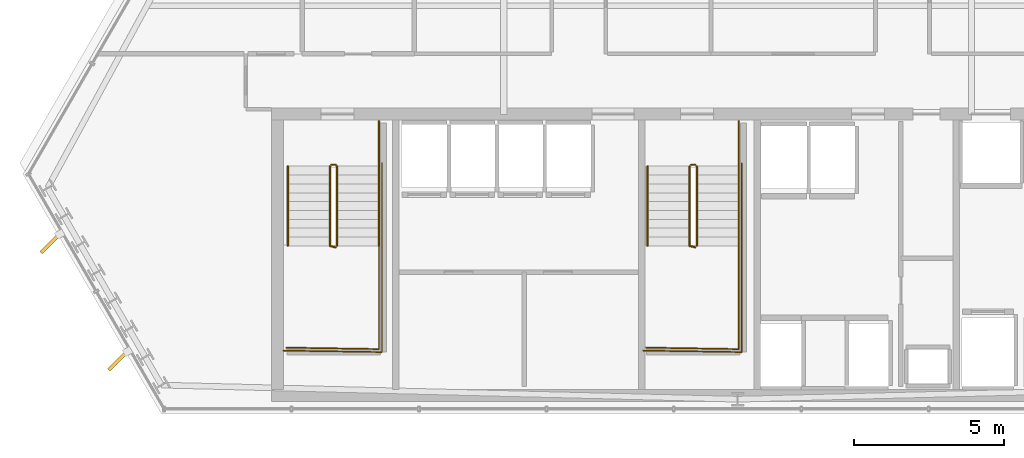
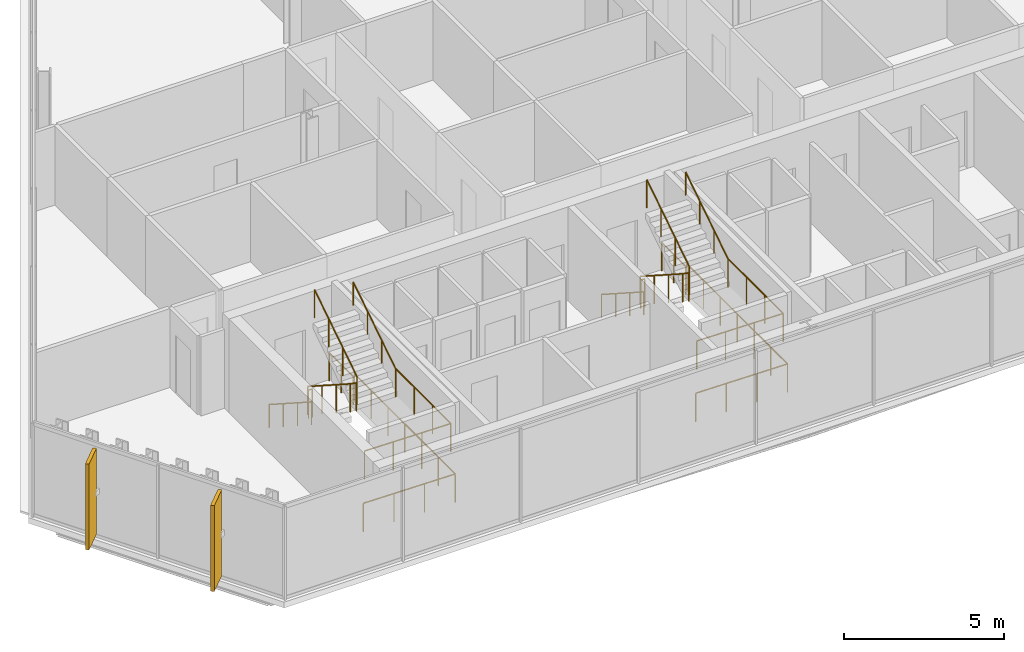
# One storey, part 31 of 34: 16 railings, 2 shading devices.
"""IFC4 building model written with IfcOpenShell, lengths in metres."""

from ifc_helpers import new_model, si_unit, direction, frame, origin, origin_2d, place, context, subcontext, project, spatial, rectangle, circle, extrude, material, layer, layer_set, type_object, element, save


model = new_model("IFC4")

# Units and contexts
model_context = context("Model", 3, precision=1e-05, world=origin(), true_north=direction((0.0, 1.0)))
body_context = subcontext(model_context, "Body", "Model", "MODEL_VIEW")
ifc_project = project(units=[si_unit("LENGTHUNIT", "METRE"), si_unit("AREAUNIT", "SQUARE_METRE"), si_unit("VOLUMEUNIT", "CUBIC_METRE"), si_unit("PLANEANGLEUNIT", "RADIAN"), si_unit("MASSUNIT", "GRAM", prefix="KILO")], contexts=[model_context])

# Site, building, storey
site_placement = place(None, origin())
site = spatial("IfcSite", under=ifc_project, at=site_placement, CompositionType="ELEMENT")
building_placement = place(site_placement, origin())
building = spatial("IfcBuilding", under=site, at=building_placement, Name="Ndaravel Arena Tower", CompositionType="ELEMENT")
storey_placement = place(building_placement, frame((0.0, 0.0, 191.60009765625)))
storey = spatial("IfcBuildingStorey", under=building, at=storey_placement, Name="L46", CompositionType="ELEMENT", Elevation=191.60009765625)

# Railings
ifc_material_1 = material(Name="Steel S355", Category="steel")
ifc_layer_1 = layer(ifc_material_1, 0.06005859375)
ifc_layer_set_1 = layer_set([ifc_layer_1], Name="Steel S355")
railing_type_1 = type_object("IfcRailingType", Name="RAIL-STAIR-GD1100", PredefinedType="GUARDRAIL", material=ifc_layer_set_1)
railing_1_placement = place(storey_placement, frame((28.39990234375, 13.25, 0.18994140625)))
element("IfcRailing", 1, at=railing_1_placement, inside=storey, type_object=railing_type_1, Name="L46 ST-1 stair guard 1", PredefinedType="GUARDRAIL", context=body_context, shape_type="SweptSolid", body=[
    extrude(circle(Radius=0.02392578125, at=origin_2d()), frame((0.0, 0.0, 1.076171875), z_axis=(0.0, -0.840723540582, 0.54146461409), x_axis=(1.0, 0.0, 0.0)), (0.0, 0.0, 1.0), 3.157958984375),
    extrude(circle(Radius=0.02392578125, at=origin_2d()), frame((0.0, -2.655029296875, 2.7861328125), z_axis=(0.967074537263, -0.25449329928, 0.0), x_axis=(0.25449329928, 0.967074537263, 0.0)), (0.0, 0.0, 1.0), 0.19677734375),
    extrude(circle(Radius=0.02099609375, at=origin_2d()), origin(), (0.0, 0.0, 1.0), 1.052001953125),
    extrude(circle(Radius=0.02099609375, at=origin_2d()), frame((0.0, -0.885009765625, 0.570068359375)), (0.0, 0.0, 1.0), 1.052001953125),
    extrude(circle(Radius=0.02099609375, at=origin_2d()), frame((0.0, -1.77001953125, 1.139892578125)), (0.0, 0.0, 1.0), 1.052001953125),
    extrude(circle(Radius=0.02099609375, at=origin_2d()), frame((0.0, -2.655029296875, 1.7099609375)), (0.0, 0.0, 1.0), 1.052001953125),
    extrude(circle(Radius=0.02099609375, at=origin_2d()), frame((0.190185546875, -2.705078125, 1.7099609375)), (0.0, 0.0, 1.0), 1.052001953125),
])
railing_2_placement = place(storey_placement, frame((30.0400390625, 10.594970703125, 1.89990234375)))
element("IfcRailing", 2, at=railing_2_placement, inside=storey, type_object=railing_type_1, Name="L46 ST-1 stair guard 2", PredefinedType="GUARDRAIL", context=body_context, shape_type="SweptSolid", body=[
    extrude(circle(Radius=0.02392578125, at=origin_2d()), frame((0.0, 0.0, 1.076171875), z_axis=(0.0, -1.0, 0.0), x_axis=(1.0, 0.0, 0.0)), (0.0, 0.0, 1.0), 3.445068359375),
    extrude(circle(Radius=0.02392578125, at=origin_2d()), frame((0.0, -3.445068359375, 1.076171875), z_axis=(-0.999868861343, 0.016194447071, 0.0), x_axis=(-0.016194447071, -0.999868861343, 0.0)), (0.0, 0.0, 1.0), 3.090576171875),
    extrude(circle(Radius=0.02099609375, at=origin_2d()), origin(), (0.0, 0.0, 1.0), 1.052001953125),
    extrude(circle(Radius=0.02099609375, at=origin_2d()), frame((0.0, -1.1484375, 0.0)), (0.0, 0.0, 1.0), 1.052001953125),
    extrude(circle(Radius=0.02099609375, at=origin_2d()), frame((0.0, -2.296630859375, 0.0)), (0.0, 0.0, 1.0), 1.052001953125),
    extrude(circle(Radius=0.02099609375, at=origin_2d()), frame((0.0, -3.445068359375, 0.0)), (0.0, 0.0, 1.0), 1.052001953125),
    extrude(circle(Radius=0.02099609375, at=origin_2d()), frame((-1.030029296875, -3.428466796875, 0.0)), (0.0, 0.0, 1.0), 1.052001953125),
    extrude(circle(Radius=0.02099609375, at=origin_2d()), frame((-2.06005859375, -3.41162109375, 0.0)), (0.0, 0.0, 1.0), 1.052001953125),
    extrude(circle(Radius=0.02099609375, at=origin_2d()), frame((-3.090087890625, -3.39501953125, 0.0)), (0.0, 0.0, 1.0), 1.052001953125),
])
railing_3_placement = place(storey_placement, frame((28.639892578125, 10.594970703125, 2.08984375)))
element("IfcRailing", 3, at=railing_3_placement, inside=storey, type_object=railing_type_1, Name="L46 ST-1 stair guard 3", PredefinedType="GUARDRAIL", context=body_context, shape_type="SweptSolid", body=[
    extrude(circle(Radius=0.02392578125, at=origin_2d()), frame((0.0, 0.0, 1.076171875), z_axis=(0.0, 0.840723540582, 0.54146461409), x_axis=(-1.0, 0.0, 0.0)), (0.0, 0.0, 1.0), 3.157958984375),
    extrude(circle(Radius=0.02099609375, at=origin_2d()), origin(), (0.0, 0.0, 1.0), 1.052001953125),
    extrude(circle(Radius=0.02099609375, at=origin_2d()), frame((0.0, 0.885009765625, 0.570068359375)), (0.0, 0.0, 1.0), 1.052001953125),
    extrude(circle(Radius=0.02099609375, at=origin_2d()), frame((0.0, 1.77001953125, 1.139892578125)), (0.0, 0.0, 1.0), 1.052001953125),
    extrude(circle(Radius=0.02099609375, at=origin_2d()), frame((0.0, 2.655029296875, 1.7099609375)), (0.0, 0.0, 1.0), 1.052001953125),
])
railing_4_placement = place(storey_placement, frame((28.449951171875, 13.300048828125, 0.0)))
element("IfcRailing", 4, at=railing_4_placement, inside=storey, type_object=railing_type_1, Name="L46 ST-1 stair guard 4", PredefinedType="GUARDRAIL", context=body_context, shape_type="SweptSolid", body=[
    extrude(circle(Radius=0.02392578125, at=origin_2d()), frame((0.0, 0.0, 1.076171875), z_axis=(1.0, 0.0, 0.0), x_axis=(0.0, 1.0, 0.0)), (0.0, 0.0, 1.0), 0.14013671875),
    extrude(circle(Radius=0.02099609375, at=origin_2d()), origin(), (0.0, 0.0, 1.0), 1.052001953125),
    extrude(circle(Radius=0.02099609375, at=origin_2d()), frame((0.14013671875, 0.0, 0.0)), (0.0, 0.0, 1.0), 1.052001953125),
])
railing_5_placement = place(storey_placement, frame((30.0400390625, 14.75, 0.0)))
element("IfcRailing", 5, at=railing_5_placement, inside=storey, type_object=railing_type_1, Name="L46 ST-1 stair guard 5", PredefinedType="GUARDRAIL", context=body_context, shape_type="SweptSolid", body=[
    extrude(circle(Radius=0.02392578125, at=origin_2d()), frame((0.0, 0.0, 1.076171875), z_axis=(0.0, -1.0, 0.0), x_axis=(1.0, 0.0, 0.0)), (0.0, 0.0, 1.0), 1.5),
    extrude(circle(Radius=0.02099609375, at=origin_2d()), origin(), (0.0, 0.0, 1.0), 1.052001953125),
    extrude(circle(Radius=0.02099609375, at=origin_2d()), frame((0.0, -0.75, 0.0)), (0.0, 0.0, 1.0), 1.052001953125),
    extrude(circle(Radius=0.02099609375, at=origin_2d()), frame((0.0, -1.5, 0.0)), (0.0, 0.0, 1.0), 1.052001953125),
])
railing_6_placement = place(storey_placement, frame((30.139892578125, 13.35009765625, 0.0)))
element("IfcRailing", 6, at=railing_6_placement, inside=storey, type_object=railing_type_1, Name="L46 ST-1 stair guard 6", PredefinedType="GUARDRAIL", context=body_context, shape_type="SweptSolid", body=[
    extrude(circle(Radius=0.02392578125, at=origin_2d()), frame((0.0, 0.0, 1.076171875), z_axis=(0.0, -1.0, 0.0), x_axis=(1.0, 0.0, 0.0)), (0.0, 0.0, 1.0), 6.300048828125),
    extrude(circle(Radius=0.02392578125, at=origin_2d()), frame((0.0, -6.300048828125, 1.076171875), z_axis=(-0.999884296952, 0.015211597839, 0.0), x_axis=(-0.015211597839, -0.999884296952, 0.0)), (0.0, 0.0, 1.0), 3.290283203125),
    extrude(circle(Radius=0.02099609375, at=origin_2d()), origin(), (0.0, 0.0, 1.0), 1.052001953125),
    extrude(circle(Radius=0.02099609375, at=origin_2d()), frame((0.0, -1.050048828125, 0.0)), (0.0, 0.0, 1.0), 1.052001953125),
    extrude(circle(Radius=0.02099609375, at=origin_2d()), frame((0.0, -2.10009765625, 0.0)), (0.0, 0.0, 1.0), 1.052001953125),
    extrude(circle(Radius=0.02099609375, at=origin_2d()), frame((0.0, -3.14990234375, 0.0)), (0.0, 0.0, 1.0), 1.052001953125),
    extrude(circle(Radius=0.02099609375, at=origin_2d()), frame((0.0, -4.199951171875, 0.0)), (0.0, 0.0, 1.0), 1.052001953125),
    extrude(circle(Radius=0.02099609375, at=origin_2d()), frame((0.0, -5.25, 0.0)), (0.0, 0.0, 1.0), 1.052001953125),
    extrude(circle(Radius=0.02099609375, at=origin_2d()), frame((0.0, -6.300048828125, 0.0)), (0.0, 0.0, 1.0), 1.052001953125),
    extrude(circle(Radius=0.02099609375, at=origin_2d()), frame((-1.0966796875, -6.283447265625, 0.0)), (0.0, 0.0, 1.0), 1.052001953125),
    extrude(circle(Radius=0.02099609375, at=origin_2d()), frame((-2.193115234375, -6.2666015625, 0.0)), (0.0, 0.0, 1.0), 1.052001953125),
    extrude(circle(Radius=0.02099609375, at=origin_2d()), frame((-3.289794921875, -6.25, 0.0)), (0.0, 0.0, 1.0), 1.052001953125),
])
railing_7_placement = place(storey_placement, frame((40.39990234375, 13.25, 0.18994140625)))
element("IfcRailing", 7, at=railing_7_placement, inside=storey, type_object=railing_type_1, Name="L46 ST-2 stair guard 1", PredefinedType="GUARDRAIL", context=body_context, shape_type="SweptSolid", body=[
    extrude(circle(Radius=0.02392578125, at=origin_2d()), frame((0.0, 0.0, 1.076171875), z_axis=(0.0, -0.840723540582, 0.54146461409), x_axis=(1.0, 0.0, 0.0)), (0.0, 0.0, 1.0), 3.157958984375),
    extrude(circle(Radius=0.02392578125, at=origin_2d()), frame((0.0, -2.655029296875, 2.7861328125), z_axis=(0.967074537263, -0.25449329928, 0.0), x_axis=(0.25449329928, 0.967074537263, 0.0)), (0.0, 0.0, 1.0), 0.19677734375),
    extrude(circle(Radius=0.02099609375, at=origin_2d()), origin(), (0.0, 0.0, 1.0), 1.052001953125),
    extrude(circle(Radius=0.02099609375, at=origin_2d()), frame((0.0, -0.885009765625, 0.570068359375)), (0.0, 0.0, 1.0), 1.052001953125),
    extrude(circle(Radius=0.02099609375, at=origin_2d()), frame((0.0, -1.77001953125, 1.139892578125)), (0.0, 0.0, 1.0), 1.052001953125),
    extrude(circle(Radius=0.02099609375, at=origin_2d()), frame((0.0, -2.655029296875, 1.7099609375)), (0.0, 0.0, 1.0), 1.052001953125),
    extrude(circle(Radius=0.02099609375, at=origin_2d()), frame((0.190185546875, -2.705078125, 1.7099609375)), (0.0, 0.0, 1.0), 1.052001953125),
])
railing_8_placement = place(storey_placement, frame((42.0400390625, 10.594970703125, 1.89990234375)))
element("IfcRailing", 8, at=railing_8_placement, inside=storey, type_object=railing_type_1, Name="L46 ST-2 stair guard 2", PredefinedType="GUARDRAIL", context=body_context, shape_type="SweptSolid", body=[
    extrude(circle(Radius=0.02392578125, at=origin_2d()), frame((0.0, 0.0, 1.076171875), z_axis=(0.0, -1.0, 0.0), x_axis=(1.0, 0.0, 0.0)), (0.0, 0.0, 1.0), 3.445068359375),
    extrude(circle(Radius=0.02392578125, at=origin_2d()), frame((0.0, -3.445068359375, 1.076171875), z_axis=(-0.999868861343, 0.016194447071, 0.0), x_axis=(-0.016194447071, -0.999868861343, 0.0)), (0.0, 0.0, 1.0), 3.090576171875),
    extrude(circle(Radius=0.02099609375, at=origin_2d()), origin(), (0.0, 0.0, 1.0), 1.052001953125),
    extrude(circle(Radius=0.02099609375, at=origin_2d()), frame((0.0, -1.1484375, 0.0)), (0.0, 0.0, 1.0), 1.052001953125),
    extrude(circle(Radius=0.02099609375, at=origin_2d()), frame((0.0, -2.296630859375, 0.0)), (0.0, 0.0, 1.0), 1.052001953125),
    extrude(circle(Radius=0.02099609375, at=origin_2d()), frame((0.0, -3.445068359375, 0.0)), (0.0, 0.0, 1.0), 1.052001953125),
    extrude(circle(Radius=0.02099609375, at=origin_2d()), frame((-1.030029296875, -3.428466796875, 0.0)), (0.0, 0.0, 1.0), 1.052001953125),
    extrude(circle(Radius=0.02099609375, at=origin_2d()), frame((-2.06005859375, -3.41162109375, 0.0)), (0.0, 0.0, 1.0), 1.052001953125),
    extrude(circle(Radius=0.02099609375, at=origin_2d()), frame((-3.090087890625, -3.39501953125, 0.0)), (0.0, 0.0, 1.0), 1.052001953125),
])
railing_9_placement = place(storey_placement, frame((40.639892578125, 10.594970703125, 2.08984375)))
element("IfcRailing", 9, at=railing_9_placement, inside=storey, type_object=railing_type_1, Name="L46 ST-2 stair guard 3", PredefinedType="GUARDRAIL", context=body_context, shape_type="SweptSolid", body=[
    extrude(circle(Radius=0.02392578125, at=origin_2d()), frame((0.0, 0.0, 1.076171875), z_axis=(0.0, 0.840723540582, 0.54146461409), x_axis=(-1.0, 0.0, 0.0)), (0.0, 0.0, 1.0), 3.157958984375),
    extrude(circle(Radius=0.02099609375, at=origin_2d()), origin(), (0.0, 0.0, 1.0), 1.052001953125),
    extrude(circle(Radius=0.02099609375, at=origin_2d()), frame((0.0, 0.885009765625, 0.570068359375)), (0.0, 0.0, 1.0), 1.052001953125),
    extrude(circle(Radius=0.02099609375, at=origin_2d()), frame((0.0, 1.77001953125, 1.139892578125)), (0.0, 0.0, 1.0), 1.052001953125),
    extrude(circle(Radius=0.02099609375, at=origin_2d()), frame((0.0, 2.655029296875, 1.7099609375)), (0.0, 0.0, 1.0), 1.052001953125),
])
railing_10_placement = place(storey_placement, frame((40.449951171875, 13.300048828125, 0.0)))
element("IfcRailing", 10, at=railing_10_placement, inside=storey, type_object=railing_type_1, Name="L46 ST-2 stair guard 4", PredefinedType="GUARDRAIL", context=body_context, shape_type="SweptSolid", body=[
    extrude(circle(Radius=0.02392578125, at=origin_2d()), frame((0.0, 0.0, 1.076171875), z_axis=(1.0, 0.0, 0.0), x_axis=(0.0, 1.0, 0.0)), (0.0, 0.0, 1.0), 0.14013671875),
    extrude(circle(Radius=0.02099609375, at=origin_2d()), origin(), (0.0, 0.0, 1.0), 1.052001953125),
    extrude(circle(Radius=0.02099609375, at=origin_2d()), frame((0.14013671875, 0.0, 0.0)), (0.0, 0.0, 1.0), 1.052001953125),
])
railing_11_placement = place(storey_placement, frame((42.0400390625, 14.75, 0.0)))
element("IfcRailing", 11, at=railing_11_placement, inside=storey, type_object=railing_type_1, Name="L46 ST-2 stair guard 5", PredefinedType="GUARDRAIL", context=body_context, shape_type="SweptSolid", body=[
    extrude(circle(Radius=0.02392578125, at=origin_2d()), frame((0.0, 0.0, 1.076171875), z_axis=(0.0, -1.0, 0.0), x_axis=(1.0, 0.0, 0.0)), (0.0, 0.0, 1.0), 1.5),
    extrude(circle(Radius=0.02099609375, at=origin_2d()), origin(), (0.0, 0.0, 1.0), 1.052001953125),
    extrude(circle(Radius=0.02099609375, at=origin_2d()), frame((0.0, -0.75, 0.0)), (0.0, 0.0, 1.0), 1.052001953125),
    extrude(circle(Radius=0.02099609375, at=origin_2d()), frame((0.0, -1.5, 0.0)), (0.0, 0.0, 1.0), 1.052001953125),
])
railing_12_placement = place(storey_placement, frame((42.139892578125, 13.35009765625, 0.0)))
element("IfcRailing", 12, at=railing_12_placement, inside=storey, type_object=railing_type_1, Name="L46 ST-2 stair guard 6", PredefinedType="GUARDRAIL", context=body_context, shape_type="SweptSolid", body=[
    extrude(circle(Radius=0.02392578125, at=origin_2d()), frame((0.0, 0.0, 1.076171875), z_axis=(0.0, -1.0, 0.0), x_axis=(1.0, 0.0, 0.0)), (0.0, 0.0, 1.0), 6.300048828125),
    extrude(circle(Radius=0.02392578125, at=origin_2d()), frame((0.0, -6.300048828125, 1.076171875), z_axis=(-0.999884296952, 0.015211597839, 0.0), x_axis=(-0.015211597839, -0.999884296952, 0.0)), (0.0, 0.0, 1.0), 3.290283203125),
    extrude(circle(Radius=0.02099609375, at=origin_2d()), origin(), (0.0, 0.0, 1.0), 1.052001953125),
    extrude(circle(Radius=0.02099609375, at=origin_2d()), frame((0.0, -1.050048828125, 0.0)), (0.0, 0.0, 1.0), 1.052001953125),
    extrude(circle(Radius=0.02099609375, at=origin_2d()), frame((0.0, -2.10009765625, 0.0)), (0.0, 0.0, 1.0), 1.052001953125),
    extrude(circle(Radius=0.02099609375, at=origin_2d()), frame((0.0, -3.14990234375, 0.0)), (0.0, 0.0, 1.0), 1.052001953125),
    extrude(circle(Radius=0.02099609375, at=origin_2d()), frame((0.0, -4.199951171875, 0.0)), (0.0, 0.0, 1.0), 1.052001953125),
    extrude(circle(Radius=0.02099609375, at=origin_2d()), frame((0.0, -5.25, 0.0)), (0.0, 0.0, 1.0), 1.052001953125),
    extrude(circle(Radius=0.02099609375, at=origin_2d()), frame((0.0, -6.300048828125, 0.0)), (0.0, 0.0, 1.0), 1.052001953125),
    extrude(circle(Radius=0.02099609375, at=origin_2d()), frame((-1.0966796875, -6.283447265625, 0.0)), (0.0, 0.0, 1.0), 1.052001953125),
    extrude(circle(Radius=0.02099609375, at=origin_2d()), frame((-2.193115234375, -6.2666015625, 0.0)), (0.0, 0.0, 1.0), 1.052001953125),
    extrude(circle(Radius=0.02099609375, at=origin_2d()), frame((-3.289794921875, -6.25, 0.0)), (0.0, 0.0, 1.0), 1.052001953125),
])
ifc_material_2 = material(Name="Steel S355", Category="steel")
ifc_layer_2 = layer(ifc_material_2, 0.050048828125)
ifc_layer_set_2 = layer_set([ifc_layer_2], Name="Steel S355")
railing_type_2 = type_object("IfcRailingType", Name="RAIL-STAIR-HR920", PredefinedType="HANDRAIL", material=ifc_layer_set_2)
railing_13_placement = place(storey_placement, frame((27.0, 13.25, 0.18994140625)))
element("IfcRailing", 13, at=railing_13_placement, inside=storey, type_object=railing_type_2, Name="L46 ST-1 stair handrail 1", PredefinedType="HANDRAIL", context=body_context, shape_type="SweptSolid", body=[
    extrude(circle(Radius=0.02392578125, at=origin_2d()), frame((0.0, 0.0, 0.8759765625), z_axis=(0.0, -0.840723540582, 0.54146461409), x_axis=(1.0, 0.0, 0.0)), (0.0, 0.0, 1.0), 3.157958984375),
    extrude(circle(Radius=0.02099609375, at=origin_2d()), origin(), (0.0, 0.0, 1.0), 0.851806640625),
    extrude(circle(Radius=0.02099609375, at=origin_2d()), frame((0.0, -0.885009765625, 0.570068359375)), (0.0, 0.0, 1.0), 0.851806640625),
    extrude(circle(Radius=0.02099609375, at=origin_2d()), frame((0.0, -1.77001953125, 1.139892578125)), (0.0, 0.0, 1.0), 0.851806640625),
    extrude(circle(Radius=0.02099609375, at=origin_2d()), frame((0.0, -2.655029296875, 1.7099609375)), (0.0, 0.0, 1.0), 0.851806640625),
])
railing_14_placement = place(storey_placement, frame((30.0400390625, 10.594970703125, 2.08984375)))
element("IfcRailing", 14, at=railing_14_placement, inside=storey, type_object=railing_type_2, Name="L46 ST-1 stair handrail 2", PredefinedType="HANDRAIL", context=body_context, shape_type="SweptSolid", body=[
    extrude(circle(Radius=0.02392578125, at=origin_2d()), frame((0.0, 0.0, 0.8759765625), z_axis=(0.0, 0.840723540582, 0.54146461409), x_axis=(-1.0, 0.0, 0.0)), (0.0, 0.0, 1.0), 3.157958984375),
    extrude(circle(Radius=0.02099609375, at=origin_2d()), origin(), (0.0, 0.0, 1.0), 0.851806640625),
    extrude(circle(Radius=0.02099609375, at=origin_2d()), frame((0.0, 0.885009765625, 0.570068359375)), (0.0, 0.0, 1.0), 0.851806640625),
    extrude(circle(Radius=0.02099609375, at=origin_2d()), frame((0.0, 1.77001953125, 1.139892578125)), (0.0, 0.0, 1.0), 0.851806640625),
    extrude(circle(Radius=0.02099609375, at=origin_2d()), frame((0.0, 2.655029296875, 1.7099609375)), (0.0, 0.0, 1.0), 0.851806640625),
])
railing_15_placement = place(storey_placement, frame((39.0, 13.25, 0.18994140625)))
element("IfcRailing", 15, at=railing_15_placement, inside=storey, type_object=railing_type_2, Name="L46 ST-2 stair handrail 1", PredefinedType="HANDRAIL", context=body_context, shape_type="SweptSolid", body=[
    extrude(circle(Radius=0.02392578125, at=origin_2d()), frame((0.0, 0.0, 0.8759765625), z_axis=(0.0, -0.840723540582, 0.54146461409), x_axis=(1.0, 0.0, 0.0)), (0.0, 0.0, 1.0), 3.157958984375),
    extrude(circle(Radius=0.02099609375, at=origin_2d()), origin(), (0.0, 0.0, 1.0), 0.851806640625),
    extrude(circle(Radius=0.02099609375, at=origin_2d()), frame((0.0, -0.885009765625, 0.570068359375)), (0.0, 0.0, 1.0), 0.851806640625),
    extrude(circle(Radius=0.02099609375, at=origin_2d()), frame((0.0, -1.77001953125, 1.139892578125)), (0.0, 0.0, 1.0), 0.851806640625),
    extrude(circle(Radius=0.02099609375, at=origin_2d()), frame((0.0, -2.655029296875, 1.7099609375)), (0.0, 0.0, 1.0), 0.851806640625),
])
railing_16_placement = place(storey_placement, frame((42.0400390625, 10.594970703125, 2.08984375)))
element("IfcRailing", 16, at=railing_16_placement, inside=storey, type_object=railing_type_2, Name="L46 ST-2 stair handrail 2", PredefinedType="HANDRAIL", context=body_context, shape_type="SweptSolid", body=[
    extrude(circle(Radius=0.02392578125, at=origin_2d()), frame((0.0, 0.0, 0.8759765625), z_axis=(0.0, 0.840723540582, 0.54146461409), x_axis=(-1.0, 0.0, 0.0)), (0.0, 0.0, 1.0), 3.157958984375),
    extrude(circle(Radius=0.02099609375, at=origin_2d()), origin(), (0.0, 0.0, 1.0), 0.851806640625),
    extrude(circle(Radius=0.02099609375, at=origin_2d()), frame((0.0, 0.885009765625, 0.570068359375)), (0.0, 0.0, 1.0), 0.851806640625),
    extrude(circle(Radius=0.02099609375, at=origin_2d()), frame((0.0, 1.77001953125, 1.139892578125)), (0.0, 0.0, 1.0), 0.851806640625),
    extrude(circle(Radius=0.02099609375, at=origin_2d()), frame((0.0, 2.655029296875, 1.7099609375)), (0.0, 0.0, 1.0), 0.851806640625),
])

# Shading devices
ifc_material_3 = material(Name="Masonry", Category="masonry")
shading_device_type = type_object("IfcShadingDeviceType", Name="SHD-MAZERAS-FIN", PredefinedType="SHUTTER", material=ifc_material_3)
for number, where, z_axis, x_axis, name in (
    (17, (19.08251953125, 10.682861328125, 0.14990234375), (0.0, 0.0, 1.0), (-0.707106781187, -0.707106781187, 0.0), "L46 Mazeras Stone Solar Fin E6.1"),
    (18, (21.343994140625, 6.765869140625, 0.14990234375), (0.0, 0.0, 1.0), (-0.707106781187, -0.707106781187, 0.0), "L46 Mazeras Stone Solar Fin E6.2"),
):
    element("IfcShadingDevice", number, at=place(storey_placement, frame(where, z_axis=z_axis, x_axis=x_axis)), inside=storey, type_object=shading_device_type, Name=name, PredefinedType="SHUTTER", context=body_context, shape_type="SweptSolid", body=[
        extrude(rectangle(XDim=0.89990234375, YDim=0.1201171875, at=origin_2d()), origin(), (0.0, 0.0, 1.0), 3.280029296875),
    ])

save(model, "model.ifc")
